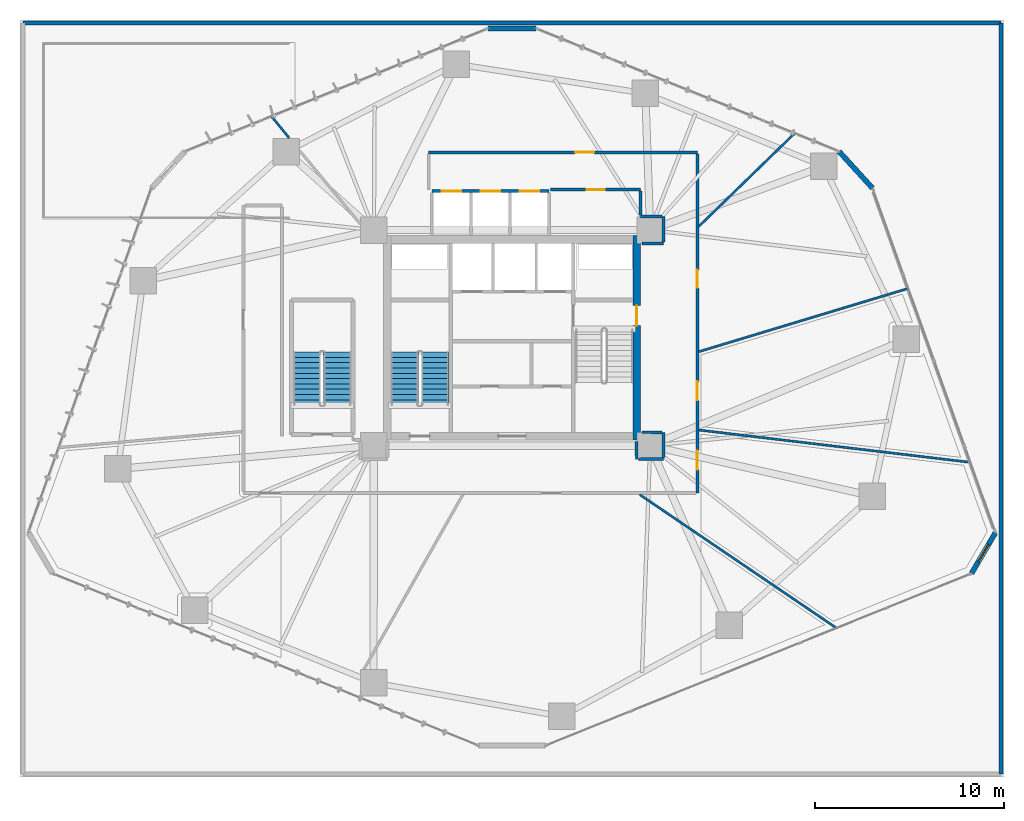
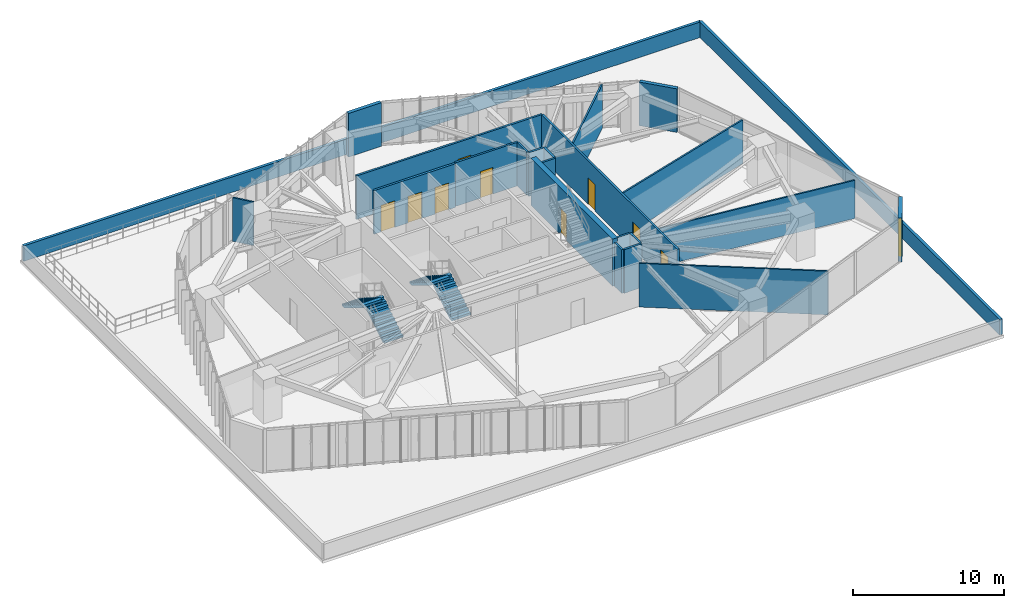
# One storey, part 19 of 23: 23 walls, 10 doors, 4 stair flights, 10 openings, 2 elements without a shape of their own.
"""IFC4 building model written with IfcOpenShell, lengths in metres."""

from ifc_helpers import new_model, si_unit, direction, frame, frame_2d, origin, place, context, subcontext, project, spatial, polyline, rectangle, outline, extrude, source, transform, mapped, material, layer, layer_set, type_object, type_shapes, element, fill, aggregate, save


model = new_model("IFC4")

# Units and contexts
model_context = context("Model", 3, precision=1e-05, world=origin(), true_north=direction((0.0, 1.0)))
body_context = subcontext(model_context, "Body", "Model", "MODEL_VIEW")
ifc_project = project(units=[si_unit("LENGTHUNIT", "METRE"), si_unit("AREAUNIT", "SQUARE_METRE"), si_unit("VOLUMEUNIT", "CUBIC_METRE"), si_unit("PLANEANGLEUNIT", "RADIAN"), si_unit("MASSUNIT", "GRAM", prefix="KILO")], contexts=[model_context])

# Site, building, storey
site_placement = place(None, origin())
site = spatial("IfcSite", under=ifc_project, at=site_placement, CompositionType="ELEMENT")
building_placement = place(site_placement, origin())
building = spatial("IfcBuilding", under=site, at=building_placement, Name="Talar Marvaseh", CompositionType="ELEMENT")
storey_placement = place(building_placement, frame((0.0, 0.0, 24.0)))
storey = spatial("IfcBuildingStorey", under=building, at=storey_placement, Name="L05", CompositionType="ELEMENT", Elevation=24.0)

# Walls
ifc_material_1 = material(Name="Precast concrete C45/55", Category="concrete")
ifc_layer_1 = layer(ifc_material_1, 0.27001953125)
ifc_layer_set_1 = layer_set([ifc_layer_1], Name="Precast concrete C45/55")
wall_type_1 = type_object("IfcWallType", Name="Chamfered Hexagonal Corner Pier Wall Z1 270", PredefinedType="SOLIDWALL", material=ifc_layer_set_1)
wall_1_placement = place(storey_placement, frame((24.741943359375, 47.550048828125, 0.0), z_axis=(0.0, 0.0, 1.0), x_axis=(1.0, 0.0, 0.0)))
element("IfcWall", 1, at=wall_1_placement, inside=storey, type_object=wall_type_1, Name="L05 Chamfered Corner Limestone Pier 3", PredefinedType="SOLIDWALL", context=body_context, shape_type="SweptSolid", body=[
    extrude(rectangle(XDim=2.51611328125, YDim=0.27001953125, at=frame_2d((1.258056640625, 0.0))), origin(), (0.0, 0.0, 1.0), 3.52001953125),
])
wall_2_placement = place(storey_placement, frame((43.286376953125, 41.05029296875, 0.0), z_axis=(0.0, 0.0, 1.0), x_axis=(0.673927231717, -0.738797730337, 0.0)))
element("IfcWall", 2, at=wall_2_placement, inside=storey, type_object=wall_type_1, Name="L05 Chamfered Corner Limestone Pier 4", PredefinedType="SOLIDWALL", context=body_context, shape_type="SweptSolid", body=[
    extrude(rectangle(XDim=2.623046875, YDim=0.27001953125, at=frame_2d((1.3115234375, 0.0))), origin(), (0.0, 0.0, 1.0), 3.52001953125),
])

# Wall, opening, door
wall_3_placement = place(storey_placement, frame((51.541748046875, 20.897705078125, 0.0), z_axis=(0.0, 0.0, 1.0), x_axis=(-0.506423014461, -0.86228517929, 0.0)))
wall_3 = element("IfcWall", 3, at=wall_3_placement, inside=storey, type_object=wall_type_1, Name="L05 Chamfered Corner Limestone Pier 5", PredefinedType="SOLIDWALL", context=body_context, shape_type="SweptSolid", body=[
    extrude(rectangle(XDim=2.484130859375, YDim=0.27001953125, at=frame_2d((1.2421875, 0.0))), origin(), (0.0, 0.0, 1.0), 3.52001953125),
])
opening_1_placement = place(wall_3_placement, frame((0.717041015625, 0.0, 0.0)))
opening_1 = element("IfcOpeningElement", 4, at=opening_1_placement, cuts=wall_3, Name="Opening DR-TER10", PredefinedType="OPENING", context=body_context, shape_type="SweptSolid", body=[
    extrude(rectangle(XDim=1.050048828125, YDim=2.199951171875, at=frame_2d((0.52490234375, 1.10009765625))), frame((0.0, 0.14501953125, 0.0), z_axis=(0.0, -1.0, 0.0), x_axis=(1.0, 0.0, 0.0)), (0.0, 0.0, 1.0), 0.2900390625),
])
ifc_material_2 = material(Name="Architectural Aluminium", Category="aluminium")
door_type_1 = type_object("IfcDoorType", Name="External Terrace Weatherproof Glazed Door 1050x2200", OperationType="NOTDEFINED", PredefinedType="DOOR", material=ifc_material_2)
shared_shape_1 = source(origin(), body_context, "Body", "SweptSolid", [
    extrude(rectangle(XDim=1.050048828125, YDim=2.199951171875, at=frame_2d((0.52490234375, 1.10009765625))), frame((0.0, 0.02490234375, 0.0), z_axis=(0.0, -1.0, 0.0), x_axis=(1.0, 0.0, 0.0)), (0.0, 0.0, 1.0), 0.050048828125),
])
type_shapes(door_type_1, [shared_shape_1])
door_1_placement = place(opening_1_placement, origin())
door_1 = element("IfcDoor", 5, at=door_1_placement, inside=storey, type_object=door_type_1, Name="L05 Podium Main Roof Deck Access Door", OperationType="SINGLE_SWING_RIGHT", OverallHeight=2.199951171875, OverallWidth=1.050048828125, PredefinedType="DOOR", context=body_context, shape_type="MappedRepresentation", body=[
    mapped(shared_shape_1, transform((0.0, 0.0, 0.0), x_axis=(1.0, 0.0, 0.0), y_axis=(0.0, 1.0, 0.0), z_axis=(0.0, 0.0, 1.0), scale=1.0)),
])
fill(opening_1, door_1)

ifc_material_3 = material(Name="Gypsum Board Partition Assembly")
ifc_layer_2 = layer(ifc_material_3, 0.155029296875)
ifc_layer_set_2 = layer_set([ifc_layer_2], Name="Gypsum Board Partition Assembly")
wall_type_2 = type_object("IfcWallType", Name="Corridor Fire-Rated Acoustic Partition 155", PredefinedType="PARTITIONING", material=ifc_layer_set_2)
wall_4_placement = place(storey_placement, frame((32.800048828125, 39.0400390625, 0.0), z_axis=(0.0, 0.0, 1.0), x_axis=(-1.0, 0.0, 0.0)))
wall_4 = element("IfcWall", 6, at=wall_4_placement, inside=storey, type_object=wall_type_2, Name="L05 Interior Partition Wall", PredefinedType="PARTITIONING", context=body_context, shape_type="SweptSolid", body=[
    extrude(rectangle(XDim=4.77001953125, YDim=0.155029296875, at=frame_2d((2.385009765625, 0.0))), origin(), (0.0, 0.0, 1.0), 3.52001953125),
])
opening_2_placement = place(wall_4_placement, frame((1.909912109375, 0.0, 0.0)))
opening_2 = element("IfcOpeningElement", 7, at=opening_2_placement, cuts=wall_4, Name="Opening DR-WC095", PredefinedType="OPENING", context=body_context, shape_type="SweptSolid", body=[
    extrude(rectangle(XDim=0.949951171875, YDim=2.14990234375, at=frame_2d((0.47509765625, 1.074951171875))), frame((0.0, 0.08740234375, 0.0), z_axis=(0.0, -1.0, 0.0), x_axis=(1.0, 0.0, 0.0)), (0.0, 0.0, 1.0), 0.175048828125),
])
ifc_material_4 = material(Name="Acoustic Engineered Oak Timber", Category="wood")
door_type_2 = type_object("IfcDoorType", Name="Washroom and Service Room Door 950x2150", OperationType="NOTDEFINED", PredefinedType="DOOR", material=ifc_material_4)
shared_shape_2 = source(origin(), body_context, "Body", "SweptSolid", [
    extrude(rectangle(XDim=0.949951171875, YDim=2.14990234375, at=frame_2d((0.47509765625, 1.074951171875))), frame((0.0, 0.02490234375, 0.0), z_axis=(0.0, -1.0, 0.0), x_axis=(1.0, 0.0, 0.0)), (0.0, 0.0, 1.0), 0.050048828125),
])
type_shapes(door_type_2, [shared_shape_2])
door_2_placement = place(opening_2_placement, origin())
door_2 = element("IfcDoor", 8, at=door_2_placement, inside=storey, type_object=door_type_2, Name="L05 WC Public Washrooms Door", OperationType="SINGLE_SWING_LEFT", OverallHeight=2.14990234375, OverallWidth=0.949951171875, PredefinedType="DOOR", context=body_context, shape_type="MappedRepresentation", body=[
    mapped(shared_shape_2, transform((0.0, 0.0, 0.0), x_axis=(1.0, 0.0, 0.0), y_axis=(0.0, 1.0, 0.0), z_axis=(0.0, 0.0, 1.0), scale=1.0)),
])
fill(opening_2, door_2)

wall_5_placement = place(storey_placement, frame((21.60009765625, 41.0, 0.0), z_axis=(0.0, 0.0, 1.0), x_axis=(1.0, 0.0, 0.0)))
wall_5 = element("IfcWall", 9, at=wall_5_placement, inside=storey, type_object=wall_type_2, Name="L05 Interior Partition Wall", PredefinedType="PARTITIONING", context=body_context, shape_type="SweptSolid", body=[
    extrude(rectangle(XDim=14.199951171875, YDim=0.155029296875, at=frame_2d((7.10009765625, 0.0))), origin(), (0.0, 0.0, 1.0), 3.52001953125),
])
opening_3_placement = place(wall_5_placement, frame((7.736083984375, 0.0, 0.0)))
opening_3 = element("IfcOpeningElement", 10, at=opening_3_placement, cuts=wall_5, Name="Opening DR-RM100", PredefinedType="OPENING", context=body_context, shape_type="SweptSolid", body=[
    extrude(rectangle(XDim=1.0, YDim=2.14990234375, at=frame_2d((0.5, 1.074951171875))), frame((0.0, 0.08740234375, 0.0), z_axis=(0.0, -1.0, 0.0), x_axis=(1.0, 0.0, 0.0)), (0.0, 0.0, 1.0), 0.175048828125),
])
door_type_3 = type_object("IfcDoorType", Name="Corridor Fire-Rated Gallery Door 1000x2150", OperationType="NOTDEFINED", PredefinedType="DOOR", material=ifc_material_4)
shared_shape_3 = source(origin(), body_context, "Body", "SweptSolid", [
    extrude(rectangle(XDim=1.0, YDim=2.14990234375, at=frame_2d((0.5, 1.074951171875))), frame((0.0, 0.02490234375, 0.0), z_axis=(0.0, -1.0, 0.0), x_axis=(1.0, 0.0, 0.0)), (0.0, 0.0, 1.0), 0.050048828125),
])
type_shapes(door_type_3, [shared_shape_3])
door_3_placement = place(opening_3_placement, origin())
door_3 = element("IfcDoor", 11, at=door_3_placement, inside=storey, type_object=door_type_3, Name="L05 Chamber Recital Salon Door", OperationType="SINGLE_SWING_RIGHT", OverallHeight=2.14990234375, OverallWidth=1.0, PredefinedType="DOOR", context=body_context, shape_type="MappedRepresentation", body=[
    mapped(shared_shape_3, transform((0.0, 0.0, 0.0), x_axis=(1.0, 0.0, 0.0), y_axis=(0.0, 1.0, 0.0), z_axis=(0.0, 0.0, 1.0), scale=1.0)),
])
fill(opening_3, door_3)

# Wall, openings, doors
wall_6_placement = place(storey_placement, frame((35.800048828125, 40.91650390625, 0.0), z_axis=(0.0, 0.0, 1.0), x_axis=(0.0, -1.0, 0.0)))
wall_6 = element("IfcWall", 12, at=wall_6_placement, inside=storey, type_object=wall_type_2, Name="L05 Interior Partition Wall", PredefinedType="PARTITIONING", context=body_context, shape_type="SweptSolid", body=[
    extrude(rectangle(XDim=17.91650390625, YDim=0.155029296875, at=frame_2d((8.958251953125, 0.0))), origin(), (0.0, 0.0, 1.0), 3.52001953125),
])
opening_4_placement = place(wall_6_placement, frame((15.67822265625, 0.0, 0.0)))
opening_4 = element("IfcOpeningElement", 13, at=opening_4_placement, cuts=wall_6, Name="Opening DR-RM100", PredefinedType="OPENING", context=body_context, shape_type="SweptSolid", body=[
    extrude(rectangle(XDim=1.0, YDim=2.14990234375, at=frame_2d((0.5, 1.074951171875))), frame((0.0, 0.08740234375, 0.0), z_axis=(0.0, -1.0, 0.0), x_axis=(1.0, 0.0, 0.0)), (0.0, 0.0, 1.0), 0.175048828125),
])
opening_5_placement = place(wall_6_placement, frame((12.01904296875, 0.0, 0.0)))
opening_5 = element("IfcOpeningElement", 14, at=opening_5_placement, cuts=wall_6, Name="Opening DR-RM100", PredefinedType="OPENING", context=body_context, shape_type="SweptSolid", body=[
    extrude(rectangle(XDim=1.0, YDim=2.14990234375, at=frame_2d((0.5, 1.074951171875))), frame((0.0, 0.08740234375, 0.0), z_axis=(0.0, -1.0, 0.0), x_axis=(1.0, 0.0, 0.0)), (0.0, 0.0, 1.0), 0.175048828125),
])
opening_6_placement = place(wall_6_placement, frame((6.127197265625, 0.0, 0.0)))
opening_6 = element("IfcOpeningElement", 15, at=opening_6_placement, cuts=wall_6, Name="Opening DR-WC095", PredefinedType="OPENING", context=body_context, shape_type="SweptSolid", body=[
    extrude(rectangle(XDim=0.949951171875, YDim=2.14990234375, at=frame_2d((0.47509765625, 1.074951171875))), frame((0.0, 0.08740234375, 0.0), z_axis=(0.0, -1.0, 0.0), x_axis=(1.0, 0.0, 0.0)), (0.0, 0.0, 1.0), 0.175048828125),
])
door_4_placement = place(opening_6_placement, origin())
door_4 = element("IfcDoor", 16, at=door_4_placement, inside=storey, type_object=door_type_2, Name="L05 Accessible WC Block Door", OperationType="SINGLE_SWING_RIGHT", OverallHeight=2.14990234375, OverallWidth=0.949951171875, PredefinedType="DOOR", context=body_context, shape_type="MappedRepresentation", body=[
    mapped(shared_shape_2, transform((0.0, 0.0, 0.0), x_axis=(1.0, 0.0, 0.0), y_axis=(0.0, 1.0, 0.0), z_axis=(0.0, 0.0, 1.0), scale=1.0)),
])
fill(opening_6, door_4)
door_5_placement = place(opening_4_placement, origin())
door_5 = element("IfcDoor", 17, at=door_5_placement, inside=storey, type_object=door_type_3, Name="L05 Main Reading Room Door", OperationType="SINGLE_SWING_RIGHT", OverallHeight=2.14990234375, OverallWidth=1.0, PredefinedType="DOOR", context=body_context, shape_type="MappedRepresentation", body=[
    mapped(shared_shape_3, transform((0.0, 0.0, 0.0), x_axis=(1.0, 0.0, 0.0), y_axis=(0.0, 1.0, 0.0), z_axis=(0.0, 0.0, 1.0), scale=1.0)),
])
fill(opening_4, door_5)
door_6_placement = place(opening_5_placement, origin())
door_6 = element("IfcDoor", 18, at=door_6_placement, inside=storey, type_object=door_type_3, Name="L05 Archival Research Office Door", OperationType="SINGLE_SWING_LEFT", OverallHeight=2.14990234375, OverallWidth=1.0, PredefinedType="DOOR", context=body_context, shape_type="MappedRepresentation", body=[
    mapped(shared_shape_3, transform((0.0, 0.0, 0.0), x_axis=(1.0, 0.0, 0.0), y_axis=(0.0, 1.0, 0.0), z_axis=(0.0, 0.0, 1.0), scale=1.0)),
])
fill(opening_5, door_6)

# Walls
wall_7_placement = place(storey_placement, frame((32.5849609375, 25.72998046875, 0.0), z_axis=(0.0, 0.0, 1.0), x_axis=(0.007253695172, -0.999973691607, 0.0)))
element("IfcWall", 19, at=wall_7_placement, inside=storey, type_object=wall_type_2, Name="L05 Interior Partition Wall", PredefinedType="PARTITIONING", context=body_context, shape_type="SweptSolid", body=[
    extrude(rectangle(XDim=0.9423828125, YDim=0.155029296875, at=frame_2d((0.47119140625, 0.0))), origin(), (0.0, 0.0, 1.0), 3.52001953125),
])
wall_8_placement = place(storey_placement, frame((32.67529296875, 24.788330078125, 0.0), z_axis=(0.0, 0.0, 1.0), x_axis=(0.999961738884, 0.008747614993, 0.0)))
element("IfcWall", 20, at=wall_8_placement, inside=storey, type_object=wall_type_2, Name="L05 Interior Partition Wall", PredefinedType="PARTITIONING", context=body_context, shape_type="SweptSolid", body=[
    extrude(rectangle(XDim=1.339599609375, YDim=0.155029296875, at=frame_2d((0.669921875, 0.0))), origin(), (0.0, 0.0, 1.0), 3.52001953125),
])
wall_9_placement = place(storey_placement, frame((34.014892578125, 24.883544921875, 0.0), z_axis=(0.0, 0.0, 1.0), x_axis=(-0.002393659134, 0.999997135194, 0.0)))
element("IfcWall", 21, at=wall_9_placement, inside=storey, type_object=wall_type_2, Name="L05 Interior Partition Wall", PredefinedType="PARTITIONING", context=body_context, shape_type="SweptSolid", body=[
    extrude(rectangle(XDim=1.325927734375, YDim=0.155029296875, at=frame_2d((0.6630859375, 0.0))), origin(), (0.0, 0.0, 1.0), 3.52001953125),
])
wall_10_placement = place(storey_placement, frame((33.927978515625, 26.2099609375, 0.0), z_axis=(0.0, 0.0, 1.0), x_axis=(-0.999988255797, 0.004846469737, 0.0)))
element("IfcWall", 22, at=wall_10_placement, inside=storey, type_object=wall_type_2, Name="L05 Interior Partition Wall", PredefinedType="PARTITIONING", context=body_context, shape_type="SweptSolid", body=[
    extrude(rectangle(XDim=1.057861328125, YDim=0.155029296875, at=frame_2d((0.52880859375, 0.0))), origin(), (0.0, 0.0, 1.0), 3.52001953125),
])
wall_11_placement = place(storey_placement, frame((32.8701171875, 36.18505859375, 0.0), z_axis=(0.0, 0.0, 1.0), x_axis=(0.999988932255, 0.00470482389, 0.0)))
element("IfcWall", 23, at=wall_11_placement, inside=storey, type_object=wall_type_2, Name="L05 Interior Partition Wall", PredefinedType="PARTITIONING", context=body_context, shape_type="SweptSolid", body=[
    extrude(rectangle(XDim=1.1416015625, YDim=0.155029296875, at=frame_2d((0.57080078125, 0.0))), origin(), (0.0, 0.0, 1.0), 3.52001953125),
])
wall_12_placement = place(storey_placement, frame((34.01171875, 36.27392578125, 0.0), z_axis=(0.0, 0.0, 1.0), x_axis=(0.0, 1.0, 0.0)))
element("IfcWall", 24, at=wall_12_placement, inside=storey, type_object=wall_type_2, Name="L05 Interior Partition Wall", PredefinedType="PARTITIONING", context=body_context, shape_type="SweptSolid", body=[
    extrude(rectangle(XDim=1.335693359375, YDim=0.155029296875, at=frame_2d((0.66796875, 0.0))), origin(), (0.0, 0.0, 1.0), 3.52001953125),
])
wall_13_placement = place(storey_placement, frame((33.927978515625, 37.60986328125, 0.0), z_axis=(0.0, 0.0, 1.0), x_axis=(-0.999989669582, 0.004545407589, 0.0)))
element("IfcWall", 25, at=wall_13_placement, inside=storey, type_object=wall_type_2, Name="L05 Interior Partition Wall", PredefinedType="PARTITIONING", context=body_context, shape_type="SweptSolid", body=[
    extrude(rectangle(XDim=1.1279296875, YDim=0.155029296875, at=frame_2d((0.56396484375, 0.0))), origin(), (0.0, 0.0, 1.0), 3.52001953125),
])
wall_14_placement = place(storey_placement, frame((32.800048828125, 37.698486328125, 0.0), z_axis=(0.0, 0.0, 1.0), x_axis=(0.0, 1.0, 0.0)))
element("IfcWall", 26, at=wall_14_placement, inside=storey, type_object=wall_type_2, Name="L05 Interior Partition Wall", PredefinedType="PARTITIONING", context=body_context, shape_type="SweptSolid", body=[
    extrude(rectangle(XDim=1.258056640625, YDim=0.155029296875, at=frame_2d((0.62890625, 0.0))), origin(), (0.0, 0.0, 1.0), 3.52001953125),
])
ifc_layer_3 = layer(ifc_material_3, 0.1201171875)
ifc_layer_set_3 = layer_set([ifc_layer_3], Name="Gypsum Board Partition Assembly")
wall_type_3 = type_object("IfcWallType", Name="Demountable Studio Room Partition 120", PredefinedType="PARTITIONING", material=ifc_layer_set_3)
wall_15_placement = place(storey_placement, frame((32.753173828125, 22.91650390625, 0.0), z_axis=(0.0, 0.0, 1.0), x_axis=(0.827579130743, -0.561349073535, 0.0)))
element("IfcWall", 27, at=wall_15_placement, inside=storey, type_object=wall_type_3, Name="L05 Interior Partition Wall", PredefinedType="PARTITIONING", context=body_context, shape_type="SweptSolid", body=[
    extrude(rectangle(XDim=12.541259765625, YDim=0.1201171875, at=frame_2d((6.2705078125, 0.0))), origin(), (0.0, 0.0, 1.0), 3.52001953125),
])
wall_16_placement = place(storey_placement, frame((35.864501953125, 26.332275390625, 0.0), z_axis=(0.0, 0.0, 1.0), x_axis=(0.993001446614, -0.118102188902, 0.0)))
element("IfcWall", 28, at=wall_16_placement, inside=storey, type_object=wall_type_3, Name="L05 Interior Partition Wall", PredefinedType="PARTITIONING", context=body_context, shape_type="SweptSolid", body=[
    extrude(rectangle(XDim=14.445556640625, YDim=0.1201171875, at=frame_2d((7.22265625, 0.0))), origin(), (0.0, 0.0, 1.0), 3.08203125),
])
wall_17_placement = place(storey_placement, frame((35.8623046875, 30.46875, 0.0), z_axis=(0.0, 0.0, 1.0), x_axis=(0.957293851557, 0.289116726897, 0.0)))
element("IfcWall", 29, at=wall_17_placement, inside=storey, type_object=wall_type_3, Name="L05 Interior Partition Wall", PredefinedType="PARTITIONING", context=body_context, shape_type="SweptSolid", body=[
    extrude(rectangle(XDim=11.557861328125, YDim=0.1201171875, at=frame_2d((5.77880859375, 0.0))), origin(), (0.0, 0.0, 1.0), 3.52001953125),
])
wall_18_placement = place(storey_placement, frame((35.883544921875, 37.101318359375, 0.0), z_axis=(0.0, 0.0, 1.0), x_axis=(0.717105503493, 0.696964630996, 0.0)))
element("IfcWall", 30, at=wall_18_placement, inside=storey, type_object=wall_type_3, Name="L05 Interior Partition Wall", PredefinedType="PARTITIONING", context=body_context, shape_type="SweptSolid", body=[
    extrude(rectangle(XDim=7.0185546875, YDim=0.1201171875, at=frame_2d((3.50927734375, 0.0))), origin(), (0.0, 0.0, 1.0), 3.52001953125),
])
wall_19_placement = place(storey_placement, frame((14.22998046875, 41.760009765625, 0.0), z_axis=(0.0, 0.0, 1.0), x_axis=(-0.633228699059, 0.773964737368, 0.0)))
element("IfcWall", 31, at=wall_19_placement, inside=storey, type_object=wall_type_3, Name="L05 Interior Partition Wall", PredefinedType="PARTITIONING", context=body_context, shape_type="SweptSolid", body=[
    extrude(rectangle(XDim=1.46240234375, YDim=0.1201171875, at=frame_2d((0.731201171875, 0.0))), origin(), (0.0, 0.0, 1.0), 3.52001953125),
])

# Wall, openings, doors
ifc_layer_4 = layer(ifc_material_1, 0.175048828125)
ifc_layer_set_4 = layer_set([ifc_layer_4], Name="Precast concrete C45/55")
wall_type_4 = type_object("IfcWallType", Name="Fire-Rated Lift Hoistway Enclosure Wall 175", PredefinedType="SOLIDWALL", material=ifc_layer_set_4)
wall_20_placement = place(storey_placement, frame((21.760009765625, 38.9599609375, 0.0), z_axis=(0.0, 0.0, 1.0), x_axis=(1.0, 0.0, 0.0)))
wall_20 = element("IfcWall", 32, at=wall_20_placement, inside=storey, type_object=wall_type_4, Name="L05 Low-Rise Lift Bank Front Wall", PredefinedType="SOLIDWALL", context=body_context, shape_type="SweptSolid", body=[
    extrude(rectangle(XDim=6.199951171875, YDim=0.175048828125, at=frame_2d((3.10009765625, 0.0))), origin(), (0.0, 0.0, 1.0), 3.52001953125),
])
opening_7_placement = place(wall_20_placement, frame((0.52001953125, 0.0, 0.0)))
opening_7 = element("IfcOpeningElement", 33, at=opening_7_placement, cuts=wall_20, Name="Opening LD-PLL1", PredefinedType="OPENING", context=body_context, shape_type="SweptSolid", body=[
    extrude(rectangle(XDim=1.050048828125, YDim=2.14990234375, at=frame_2d((0.52490234375, 1.074951171875))), frame((0.0, 0.09765625, 0.0), z_axis=(0.0, -1.0, 0.0), x_axis=(1.0, 0.0, 0.0)), (0.0, 0.0, 1.0), 0.195068359375),
])
opening_8_placement = place(wall_20_placement, frame((2.580078125, 0.0, 0.0)))
opening_8 = element("IfcOpeningElement", 34, at=opening_8_placement, cuts=wall_20, Name="Opening LD-PLL2", PredefinedType="OPENING", context=body_context, shape_type="SweptSolid", body=[
    extrude(rectangle(XDim=1.050048828125, YDim=2.14990234375, at=frame_2d((0.52490234375, 1.074951171875))), frame((0.0, 0.09765625, 0.0), z_axis=(0.0, -1.0, 0.0), x_axis=(1.0, 0.0, 0.0)), (0.0, 0.0, 1.0), 0.195068359375),
])
opening_9_placement = place(wall_20_placement, frame((4.639892578125, 0.0, 0.0)))
opening_9 = element("IfcOpeningElement", 35, at=opening_9_placement, cuts=wall_20, Name="Opening LD-PLL3", PredefinedType="OPENING", context=body_context, shape_type="SweptSolid", body=[
    extrude(rectangle(XDim=1.050048828125, YDim=2.14990234375, at=frame_2d((0.52490234375, 1.074951171875))), frame((0.0, 0.09765625, 0.0), z_axis=(0.0, -1.0, 0.0), x_axis=(1.0, 0.0, 0.0)), (0.0, 0.0, 1.0), 0.195068359375),
])
ifc_material_5 = material(Name="Stainless Steel Grade 316", Category="steel")
door_type_4 = type_object("IfcDoorType", Name="Automatic Sliding Lift Landing Door 1050x2150", OperationType="NOTDEFINED", PredefinedType="DOOR", material=ifc_material_5)
shared_shape_4 = source(origin(), body_context, "Body", "SweptSolid", [
    extrude(rectangle(XDim=1.050048828125, YDim=2.14990234375, at=frame_2d((0.52490234375, 1.074951171875))), frame((0.0, 0.02490234375, 0.0), z_axis=(0.0, -1.0, 0.0), x_axis=(1.0, 0.0, 0.0)), (0.0, 0.0, 1.0), 0.050048828125),
])
type_shapes(door_type_4, [shared_shape_4])
door_7_placement = place(opening_7_placement, origin())
door_7 = element("IfcDoor", 36, at=door_7_placement, inside=storey, type_object=door_type_4, Name="L05 Lift PL-L1 Sliding Landing Door", OperationType="SLIDING_TO_LEFT", OverallHeight=2.14990234375, OverallWidth=1.050048828125, PredefinedType="DOOR", context=body_context, shape_type="MappedRepresentation", body=[
    mapped(shared_shape_4, transform((0.0, 0.0, 0.0), x_axis=(1.0, 0.0, 0.0), y_axis=(0.0, 1.0, 0.0), z_axis=(0.0, 0.0, 1.0), scale=1.0)),
])
fill(opening_7, door_7)
door_8_placement = place(opening_8_placement, origin())
door_8 = element("IfcDoor", 37, at=door_8_placement, inside=storey, type_object=door_type_4, Name="L05 Lift PL-L2 Sliding Landing Door", OperationType="SLIDING_TO_LEFT", OverallHeight=2.14990234375, OverallWidth=1.050048828125, PredefinedType="DOOR", context=body_context, shape_type="MappedRepresentation", body=[
    mapped(shared_shape_4, transform((0.0, 0.0, 0.0), x_axis=(1.0, 0.0, 0.0), y_axis=(0.0, 1.0, 0.0), z_axis=(0.0, 0.0, 1.0), scale=1.0)),
])
fill(opening_8, door_8)
door_9_placement = place(opening_9_placement, origin())
door_9 = element("IfcDoor", 38, at=door_9_placement, inside=storey, type_object=door_type_4, Name="L05 Lift PL-L3 Sliding Landing Door", OperationType="SLIDING_TO_LEFT", OverallHeight=2.14990234375, OverallWidth=1.050048828125, PredefinedType="DOOR", context=body_context, shape_type="MappedRepresentation", body=[
    mapped(shared_shape_4, transform((0.0, 0.0, 0.0), x_axis=(1.0, 0.0, 0.0), y_axis=(0.0, 1.0, 0.0), z_axis=(0.0, 0.0, 1.0), scale=1.0)),
])
fill(opening_9, door_9)

# Wall, opening, door
ifc_material_6 = material(Name="Concrete C70/85", Category="concrete")
ifc_layer_5 = layer(ifc_material_6, 0.39990234375)
ifc_layer_set_5 = layer_set([ifc_layer_5], Name="Concrete C70/85")
wall_type_5 = type_object("IfcWallType", Name="Lower Core Reinforced Concrete Shear Wall 400", PredefinedType="SHEAR", material=ifc_layer_set_5)
wall_21_placement = place(storey_placement, frame((32.60009765625, 36.60009765625, 0.0), z_axis=(0.0, 0.0, 1.0), x_axis=(0.0, -1.0, 0.0)))
wall_21 = element("IfcWall", 39, at=wall_21_placement, inside=storey, type_object=wall_type_5, Name="L05 East Core Shear Wall", PredefinedType="SHEAR", context=body_context, shape_type="SweptSolid", body=[
    extrude(rectangle(XDim=10.800048828125, YDim=0.39990234375, at=frame_2d((5.39990234375, 0.0))), origin(), (0.0, 0.0, 1.0), 3.800048828125),
])
opening_10_placement = place(wall_21_placement, frame((3.699951171875, 0.0, 0.0)))
opening_10 = element("IfcOpeningElement", 40, at=opening_10_placement, cuts=wall_21, Name="Opening DR-ST105", PredefinedType="OPENING", context=body_context, shape_type="SweptSolid", body=[
    extrude(rectangle(XDim=1.050048828125, YDim=2.14990234375, at=frame_2d((0.52490234375, 1.074951171875))), frame((0.0, 0.2099609375, 0.0), z_axis=(0.0, -1.0, 0.0), x_axis=(1.0, 0.0, 0.0)), (0.0, 0.0, 1.0), 0.419921875),
])
ifc_material_7 = material(Name="Fire-Rated Steel Door Leaf", Category="steel")
door_type_5 = type_object("IfcDoorType", Name="Protected Exit Stair Fire Door 1050x2150", OperationType="NOTDEFINED", PredefinedType="DOOR", material=ifc_material_7)
shared_shape_5 = source(origin(), body_context, "Body", "SweptSolid", [
    extrude(rectangle(XDim=1.050048828125, YDim=2.14990234375, at=frame_2d((0.52490234375, 1.074951171875))), frame((0.0, 0.02490234375, 0.0), z_axis=(0.0, -1.0, 0.0), x_axis=(1.0, 0.0, 0.0)), (0.0, 0.0, 1.0), 0.050048828125),
])
type_shapes(door_type_5, [shared_shape_5])
door_10_placement = place(opening_10_placement, origin())
door_10 = element("IfcDoor", 41, at=door_10_placement, inside=storey, type_object=door_type_5, Name="L05 Stair ST-2 Corridor Exit Door", OperationType="SINGLE_SWING_LEFT", OverallHeight=2.14990234375, OverallWidth=1.050048828125, PredefinedType="DOOR", context=body_context, shape_type="MappedRepresentation", body=[
    mapped(shared_shape_5, transform((0.0, 0.0, 0.0), x_axis=(1.0, 0.0, 0.0), y_axis=(0.0, 1.0, 0.0), z_axis=(0.0, 0.0, 1.0), scale=1.0)),
])
fill(opening_10, door_10)

# Walls
ifc_layer_6 = layer(ifc_material_1, 0.2099609375)
ifc_layer_set_6 = layer_set([ifc_layer_6], Name="Precast concrete C45/55")
wall_type_6 = type_object("IfcWallType", Name="Precast Limestone Roof Parapet Upstand Wall 210", PredefinedType="PARAPET", material=ifc_layer_set_6)
wall_22_placement = place(storey_placement, frame((51.85009765625, 8.14990234375, 0.0), z_axis=(0.0, 0.0, 1.0), x_axis=(0.0, 1.0, 0.0)))
element("IfcWall", 42, at=wall_22_placement, inside=storey, type_object=wall_type_6, Name="L05 Podium Roof Perimeter Parapet", PredefinedType="PARAPET", context=body_context, shape_type="SweptSolid", body=[
    extrude(rectangle(XDim=39.7001953125, YDim=0.2099609375, at=frame_2d((19.85009765625, 0.0))), origin(), (0.0, 0.0, 1.0), 1.25),
])
wall_23_placement = place(storey_placement, frame((51.85009765625, 47.85009765625, 0.0), z_axis=(0.0, 0.0, 1.0), x_axis=(-1.0, 0.0, 0.0)))
element("IfcWall", 43, at=wall_23_placement, inside=storey, type_object=wall_type_6, Name="L05 Podium Roof Perimeter Parapet", PredefinedType="PARAPET", context=body_context, shape_type="SweptSolid", body=[
    extrude(rectangle(XDim=51.7001953125, YDim=0.2099609375, at=frame_2d((25.85009765625, 0.0))), origin(), (0.0, 0.0, 1.0), 1.25),
])

# Stair, stair flights
ifc_material_8 = material(Name="Concrete C40/50", Category="concrete")
stair_type = type_object("IfcStairType", Name="Reinforced Concrete Half-Turn Exit Stair Type B", PredefinedType="HALF_TURN_STAIR", material=ifc_material_8)
stair_1_placement = place(storey_placement, origin())
stair_1 = element("IfcStair", 44, at=stair_1_placement, inside=storey, type_object=stair_type, Name="L05 Tower West Core Exit Stair", PredefinedType="HALF_TURN_STAIR")
ifc_layer_7 = layer(ifc_material_8, 0.159912109375)
ifc_layer_set_7 = layer_set([ifc_layer_7], Name="Concrete C40/50")
stair_flight_type = type_object("IfcStairFlightType", Name="Reinforced Concrete Straight Stair Flight 160", PredefinedType="STRAIGHT", material=ifc_layer_set_7)
stair_flight_1_placement = place(storey_placement, frame((21.93505859375, 27.64990234375, 0.0), z_axis=(0.0, 0.0, 1.0), x_axis=(0.0, 1.0, 0.0)))
stair_flight_1 = element("IfcStairFlight", 45, at=stair_flight_1_placement, type_object=stair_flight_type, Name="ST-1 flight 1", NumberOfRisers=11, NumberOfTreads=10, PredefinedType="STRAIGHT", RiserHeight=0.172727273, TreadLength=0.28, context=body_context, shape_type="SweptSolid", body=[
    extrude(outline(polyline([(0.0, 0.0), (0.0, 0.172607421875), (0.280029296875, 0.172607421875), (0.280029296875, 0.345458984375), (0.56005859375, 0.345458984375), (0.56005859375, 0.51806640625), (0.840087890625, 0.51806640625), (0.840087890625, 0.69091796875), (1.1201171875, 0.69091796875), (1.1201171875, 0.863525390625), (1.39990234375, 0.863525390625), (1.39990234375, 1.036376953125), (1.679931640625, 1.036376953125), (1.679931640625, 1.208984375), (1.9599609375, 1.208984375), (1.9599609375, 1.3818359375), (2.239990234375, 1.3818359375), (2.239990234375, 1.554443359375), (2.52001953125, 1.554443359375), (2.52001953125, 1.727294921875), (2.800048828125, 1.727294921875), (2.800048828125, 1.89990234375), (2.800048828125, 1.539306640625), (0.3046875, 0.0), (0.0, 0.0)])), frame((0.0, 0.72509765625, 0.0), z_axis=(0.0, -1.0, 0.0), x_axis=(1.0, 0.0, 0.0)), (0.0, 0.0, 1.0), 1.449951171875),
])
stair_flight_2_placement = place(storey_placement, frame((20.324951171875, 30.449951171875, 1.89990234375), z_axis=(0.0, 0.0, 1.0), x_axis=(0.0, -1.0, 0.0)))
stair_flight_2 = element("IfcStairFlight", 46, at=stair_flight_2_placement, type_object=stair_flight_type, Name="ST-1 flight 2", NumberOfRisers=11, NumberOfTreads=10, PredefinedType="STRAIGHT", RiserHeight=0.172727273, TreadLength=0.28, context=body_context, shape_type="SweptSolid", body=[
    extrude(outline(polyline([(0.0, 0.0), (0.0, 0.172607421875), (0.280029296875, 0.172607421875), (0.280029296875, 0.345458984375), (0.56005859375, 0.345458984375), (0.56005859375, 0.51806640625), (0.840087890625, 0.51806640625), (0.840087890625, 0.69091796875), (1.1201171875, 0.69091796875), (1.1201171875, 0.863525390625), (1.39990234375, 0.863525390625), (1.39990234375, 1.036376953125), (1.679931640625, 1.036376953125), (1.679931640625, 1.208984375), (1.9599609375, 1.208984375), (1.9599609375, 1.3818359375), (2.239990234375, 1.3818359375), (2.239990234375, 1.554443359375), (2.52001953125, 1.554443359375), (2.52001953125, 1.727294921875), (2.800048828125, 1.727294921875), (2.800048828125, 1.89990234375), (2.800048828125, 1.539306640625), (0.3046875, 0.0), (0.0, 0.0)])), frame((0.0, 0.72509765625, 0.0), z_axis=(0.0, -1.0, 0.0), x_axis=(1.0, 0.0, 0.0)), (0.0, 0.0, 1.0), 1.449951171875),
])
aggregate(stair_1, [stair_flight_1, stair_flight_2])

stair_2_placement = place(storey_placement, origin())
stair_2 = element("IfcStair", 47, at=stair_2_placement, inside=storey, type_object=stair_type, Name="L05 Museum & Podium Auxiliary Exit Stair", PredefinedType="HALF_TURN_STAIR")
stair_flight_3_placement = place(storey_placement, frame((16.77490234375, 27.64990234375, 0.0), z_axis=(0.0, 0.0, 1.0), x_axis=(0.0, 1.0, 0.0)))
stair_flight_3 = element("IfcStairFlight", 48, at=stair_flight_3_placement, type_object=stair_flight_type, Name="ST-3 flight 1", NumberOfRisers=11, NumberOfTreads=10, PredefinedType="STRAIGHT", RiserHeight=0.172727273, TreadLength=0.28, context=body_context, shape_type="SweptSolid", body=[
    extrude(outline(polyline([(0.0, 0.0), (0.0, 0.172607421875), (0.280029296875, 0.172607421875), (0.280029296875, 0.345458984375), (0.56005859375, 0.345458984375), (0.56005859375, 0.51806640625), (0.840087890625, 0.51806640625), (0.840087890625, 0.69091796875), (1.1201171875, 0.69091796875), (1.1201171875, 0.863525390625), (1.39990234375, 0.863525390625), (1.39990234375, 1.036376953125), (1.679931640625, 1.036376953125), (1.679931640625, 1.208984375), (1.9599609375, 1.208984375), (1.9599609375, 1.3818359375), (2.239990234375, 1.3818359375), (2.239990234375, 1.554443359375), (2.52001953125, 1.554443359375), (2.52001953125, 1.727294921875), (2.800048828125, 1.727294921875), (2.800048828125, 1.89990234375), (2.800048828125, 1.539306640625), (0.3046875, 0.0), (0.0, 0.0)])), frame((0.0, 0.72509765625, 0.0), z_axis=(0.0, -1.0, 0.0), x_axis=(1.0, 0.0, 0.0)), (0.0, 0.0, 1.0), 1.449951171875),
])
stair_flight_4_placement = place(storey_placement, frame((15.1650390625, 30.449951171875, 1.89990234375), z_axis=(0.0, 0.0, 1.0), x_axis=(0.0, -1.0, 0.0)))
stair_flight_4 = element("IfcStairFlight", 49, at=stair_flight_4_placement, type_object=stair_flight_type, Name="ST-3 flight 2", NumberOfRisers=11, NumberOfTreads=10, PredefinedType="STRAIGHT", RiserHeight=0.172727273, TreadLength=0.28, context=body_context, shape_type="SweptSolid", body=[
    extrude(outline(polyline([(0.0, 0.0), (0.0, 0.172607421875), (0.280029296875, 0.172607421875), (0.280029296875, 0.345458984375), (0.56005859375, 0.345458984375), (0.56005859375, 0.51806640625), (0.840087890625, 0.51806640625), (0.840087890625, 0.69091796875), (1.1201171875, 0.69091796875), (1.1201171875, 0.863525390625), (1.39990234375, 0.863525390625), (1.39990234375, 1.036376953125), (1.679931640625, 1.036376953125), (1.679931640625, 1.208984375), (1.9599609375, 1.208984375), (1.9599609375, 1.3818359375), (2.239990234375, 1.3818359375), (2.239990234375, 1.554443359375), (2.52001953125, 1.554443359375), (2.52001953125, 1.727294921875), (2.800048828125, 1.727294921875), (2.800048828125, 1.89990234375), (2.800048828125, 1.539306640625), (0.3046875, 0.0), (0.0, 0.0)])), frame((0.0, 0.72509765625, 0.0), z_axis=(0.0, -1.0, 0.0), x_axis=(1.0, 0.0, 0.0)), (0.0, 0.0, 1.0), 1.449951171875),
])
aggregate(stair_2, [stair_flight_3, stair_flight_4])

save(model, "model.ifc")
